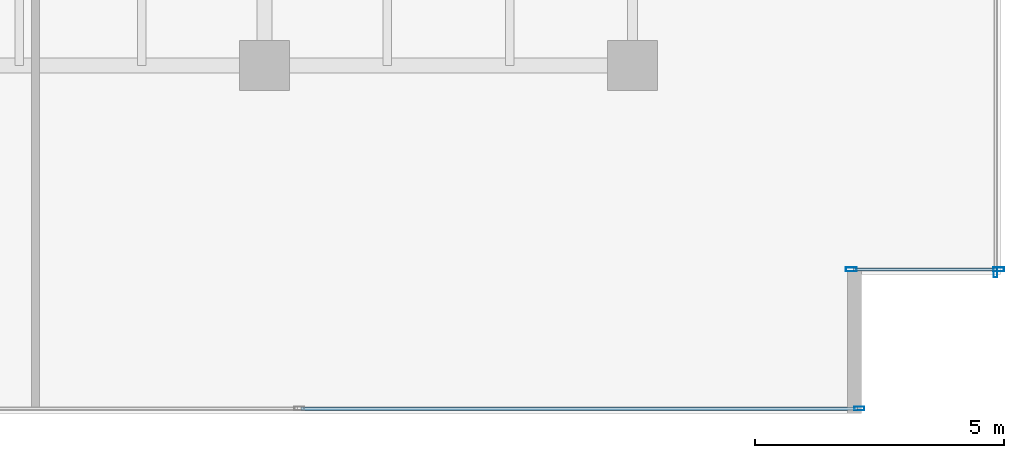
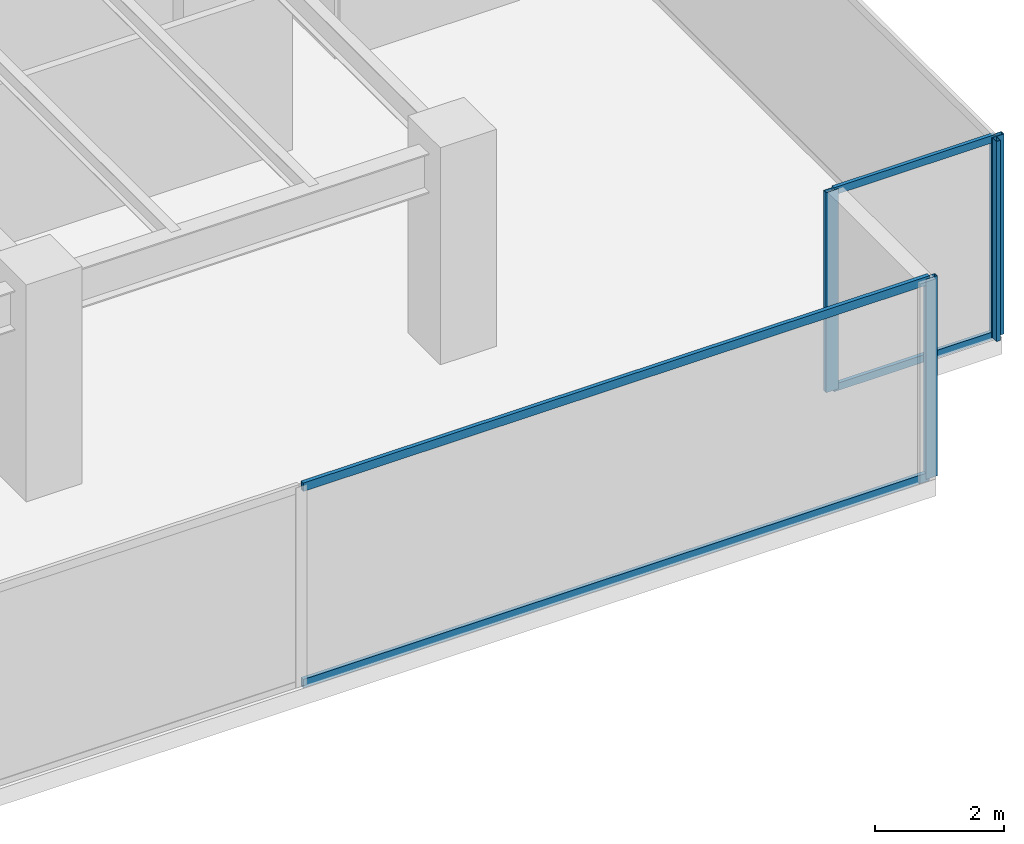
# One storey, part 23 of 35: 8 members, 3 elements without a shape of their own.
"""IFC4 building model written with IfcOpenShell, lengths in metres."""

from ifc_helpers import new_model, si_unit, direction, frame, origin, origin_2d, place, context, subcontext, project, spatial, hollow_rectangle, extrude, source, transform, mapped, material, layer, layer_set, material_profile, profile_set, type_object, type_shapes, element, aggregate, save


model = new_model("IFC4")

# Units and contexts
model_context = context("Model", 3, precision=1e-05, world=origin(), true_north=direction((0.0, 1.0)))
body_context = subcontext(model_context, "Body", "Model", "MODEL_VIEW")
ifc_project = project(units=[si_unit("LENGTHUNIT", "METRE"), si_unit("AREAUNIT", "SQUARE_METRE"), si_unit("VOLUMEUNIT", "CUBIC_METRE"), si_unit("PLANEANGLEUNIT", "RADIAN"), si_unit("MASSUNIT", "GRAM", prefix="KILO")], contexts=[model_context])

# Site, building, storey
site_placement = place(None, origin())
site = spatial("IfcSite", under=ifc_project, at=site_placement, CompositionType="ELEMENT")
building_placement = place(site_placement, origin())
building = spatial("IfcBuilding", under=site, at=building_placement, Name="Haelvirn Gate Laboratories", CompositionType="ELEMENT")
storey_placement = place(building_placement, frame((0.0, 0.0, 45.699951171875)))
storey = spatial("IfcBuildingStorey", under=building, at=storey_placement, Name="L11", CompositionType="ELEMENT", Elevation=45.699951171875)

# Curtain wall, member
ifc_material_1 = material(Name="Anodised bronze unitised aluminium & triple low-E glass", Category="aluminium")
ifc_layer_1 = layer(ifc_material_1, 0.18408203125, Name="CW-SYS-2")
ifc_layer_set_1 = layer_set([ifc_layer_1], Name="Anodised bronze unitised aluminium & triple low-E glass")
curtain_wall_type_1 = type_object("IfcCurtainWallType", Name="CW-SYS-2", PredefinedType="NOTDEFINED", material=ifc_layer_set_1)
curtain_wall_1_placement = place(storey_placement, origin())
curtain_wall_1 = element("IfcCurtainWall", 1, at=curtain_wall_1_placement, inside=storey, type_object=curtain_wall_type_1, Name="L11 Unitised Curtain Wall CW-L11-P0-E04-1", PredefinedType="NOTDEFINED")
ifc_material_2 = material(Name="Extruded aluminium 6063-T6 (anodised bronze)", Category="aluminium")
ifc_material_profile_1 = material_profile(ifc_material_2, hollow_rectangle(XDim=0.074951171875, YDim=0.199951171875, WallThickness=0.0048828125, at=origin_2d()), Name="CWM-200x75x5")
ifc_profile_set_1 = profile_set([ifc_material_profile_1], Name="Extruded aluminium 6063-T6 (anodised bronze)")
member_type_1 = type_object("IfcMemberType", Name="CWM-T200", PredefinedType="MULLION", material=ifc_profile_set_1)
shared_shape_1 = source(origin(), body_context, "Body", "SweptSolid", [
    extrude(hollow_rectangle(XDim=0.074951171875, YDim=0.199951171875, WallThickness=0.0048828125, at=origin_2d()), origin(), (0.0, 0.0, 1.0), 3.780029296875),
])
type_shapes(member_type_1, [shared_shape_1])
member_1_placement = place(storey_placement, frame((71.96240234375, 0.10009765625, 0.0), z_axis=(0.0, 0.0, 1.0), x_axis=(0.0, 1.0, 0.0)))
member_1 = element("IfcMember", 2, at=member_1_placement, type_object=member_type_1, Name="CW2 mullion 3", PredefinedType="MULLION", context=body_context, shape_type="MappedRepresentation", body=[
    mapped(shared_shape_1, transform((0.0, 0.0, 0.0), scale=1.0)),
])

curtain_wall_2_placement = place(storey_placement, origin())
curtain_wall_2 = element("IfcCurtainWall", 3, at=curtain_wall_2_placement, inside=storey, type_object=curtain_wall_type_1, Name="L11 Unitised Curtain Wall CW-L11-P0-E07", PredefinedType="NOTDEFINED")
member_2_placement = place(storey_placement, frame((74.699951171875, 2.83740234375, 0.0), z_axis=(0.0, 0.0, 1.0), x_axis=(-1.0, 0.0, 0.0)))
member_2 = element("IfcMember", 4, at=member_2_placement, type_object=member_type_1, Name="CW2 mullion 1", PredefinedType="MULLION", context=body_context, shape_type="MappedRepresentation", body=[
    mapped(shared_shape_1, transform((0.0, 0.0, 0.0), scale=1.0)),
])
aggregate(curtain_wall_2, [member_2])

# Member
ifc_material_profile_2 = material_profile(ifc_material_2, hollow_rectangle(XDim=0.070068359375, YDim=0.159912109375, WallThickness=0.0048828125, at=origin_2d()), Name="CWT-160x70x5")
ifc_profile_set_2 = profile_set([ifc_material_profile_2], Name="Extruded aluminium 6063-T6 (anodised bronze)")
member_type_2 = type_object("IfcMemberType", Name="CWT-T160", PredefinedType="USERDEFINED", material=ifc_profile_set_2)
shared_shape_2 = source(origin(), body_context, "Body", "SweptSolid", [
    extrude(hollow_rectangle(XDim=0.070068359375, YDim=0.159912109375, WallThickness=0.0048828125, at=origin_2d()), origin(), (0.0, 0.0, 1.0), 11.1875),
])
type_shapes(member_type_2, [shared_shape_2])
member_3_placement = place(storey_placement, frame((60.737548828125, 0.10009765625, 0.03515625), z_axis=(1.0, 0.0, 0.0), x_axis=(0.0, 1.0, 0.0)))
member_3 = element("IfcMember", 5, at=member_3_placement, type_object=member_type_2, Name="CW2 transom 2.1", ObjectType="TRANSOM", PredefinedType="USERDEFINED", context=body_context, shape_type="MappedRepresentation", body=[
    mapped(shared_shape_2, transform((0.0, 0.0, 0.0), scale=1.0)),
])

member_4_placement = place(storey_placement, frame((60.737548828125, 0.10009765625, 3.7451171875), z_axis=(1.0, 0.0, 0.0), x_axis=(0.0, 1.0, 0.0)))
member_4 = element("IfcMember", 6, at=member_4_placement, type_object=member_type_2, Name="CW2 transom 2.2", ObjectType="TRANSOM", PredefinedType="USERDEFINED", context=body_context, shape_type="MappedRepresentation", body=[
    mapped(shared_shape_2, transform((0.0, 0.0, 0.0), scale=1.0)),
])

aggregate(curtain_wall_1, [member_1, member_3, member_4])

# Curtain wall, members
ifc_layer_2 = layer(ifc_material_1, 0.181884765625, Name="CW-SYS-5")
ifc_layer_set_2 = layer_set([ifc_layer_2], Name="Anodised bronze unitised aluminium & triple low-E glass")
curtain_wall_type_2 = type_object("IfcCurtainWallType", Name="CW-SYS-5", PredefinedType="NOTDEFINED", material=ifc_layer_set_2)
curtain_wall_3_placement = place(storey_placement, origin())
curtain_wall_3 = element("IfcCurtainWall", 7, at=curtain_wall_3_placement, inside=storey, type_object=curtain_wall_type_2, Name="L11 Unitised Curtain Wall CW-L11-P0-E06-1", PredefinedType="NOTDEFINED")
ifc_material_profile_3 = material_profile(ifc_material_2, hollow_rectangle(XDim=0.080078125, YDim=0.219970703125, WallThickness=0.006103515625, at=origin_2d()), Name="CWM-220x80x6")
ifc_profile_set_3 = profile_set([ifc_material_profile_3], Name="Extruded aluminium 6063-T6 (anodised bronze)")
member_type_3 = type_object("IfcMemberType", Name="CWM-T220", PredefinedType="MULLION", material=ifc_profile_set_3)
shared_shape_3 = source(origin(), body_context, "Body", "SweptSolid", [
    extrude(hollow_rectangle(XDim=0.080078125, YDim=0.219970703125, WallThickness=0.006103515625, at=origin_2d()), origin(), (0.0, 0.0, 1.0), 3.780029296875),
])
type_shapes(member_type_3, [shared_shape_3])
member_5_placement = place(storey_placement, frame((71.800048828125, 2.89990234375, 0.0), z_axis=(0.0, 0.0, 1.0), x_axis=(0.0, 1.0, 0.0)))
member_5 = element("IfcMember", 8, at=member_5_placement, type_object=member_type_3, Name="CW5 mullion 1", PredefinedType="MULLION", context=body_context, shape_type="MappedRepresentation", body=[
    mapped(shared_shape_3, transform((0.0, 0.0, 0.0), scale=1.0)),
])
member_6_placement = place(storey_placement, frame((74.760009765625, 2.89990234375, 0.0), z_axis=(0.0, 0.0, 1.0), x_axis=(0.0, 1.0, 0.0)))
member_6 = element("IfcMember", 9, at=member_6_placement, type_object=member_type_3, Name="CW5 mullion 2", PredefinedType="MULLION", context=body_context, shape_type="MappedRepresentation", body=[
    mapped(shared_shape_3, transform((0.0, 0.0, 0.0), scale=1.0)),
])
ifc_material_profile_4 = material_profile(ifc_material_2, hollow_rectangle(XDim=0.06494140625, YDim=0.139892578125, WallThickness=0.00390625, at=origin_2d()), Name="CWT-140x65x4")
ifc_profile_set_4 = profile_set([ifc_material_profile_4], Name="Extruded aluminium 6063-T6 (anodised bronze)")
member_type_4 = type_object("IfcMemberType", Name="CWT-T140", PredefinedType="USERDEFINED", material=ifc_profile_set_4)
shared_shape_4 = source(origin(), body_context, "Body", "SweptSolid", [
    extrude(hollow_rectangle(XDim=0.06494140625, YDim=0.139892578125, WallThickness=0.00390625, at=origin_2d()), origin(), (0.0, 0.0, 1.0), 2.8798828125),
])
type_shapes(member_type_4, [shared_shape_4])
member_7_placement = place(storey_placement, frame((71.840087890625, 2.89990234375, 0.032470703125), z_axis=(1.0, 0.0, 0.0), x_axis=(0.0, 1.0, 0.0)))
member_7 = element("IfcMember", 10, at=member_7_placement, type_object=member_type_4, Name="CW5 transom 1.1", ObjectType="TRANSOM", PredefinedType="USERDEFINED", context=body_context, shape_type="MappedRepresentation", body=[
    mapped(shared_shape_4, transform((0.0, 0.0, 0.0), scale=1.0)),
])
member_8_placement = place(storey_placement, frame((71.840087890625, 2.89990234375, 3.74755859375), z_axis=(1.0, 0.0, 0.0), x_axis=(0.0, 1.0, 0.0)))
member_8 = element("IfcMember", 11, at=member_8_placement, type_object=member_type_4, Name="CW5 transom 1.2", ObjectType="TRANSOM", PredefinedType="USERDEFINED", context=body_context, shape_type="MappedRepresentation", body=[
    mapped(shared_shape_4, transform((0.0, 0.0, 0.0), scale=1.0)),
])
aggregate(curtain_wall_3, [member_5, member_6, member_7, member_8])

save(model, "model.ifc")
